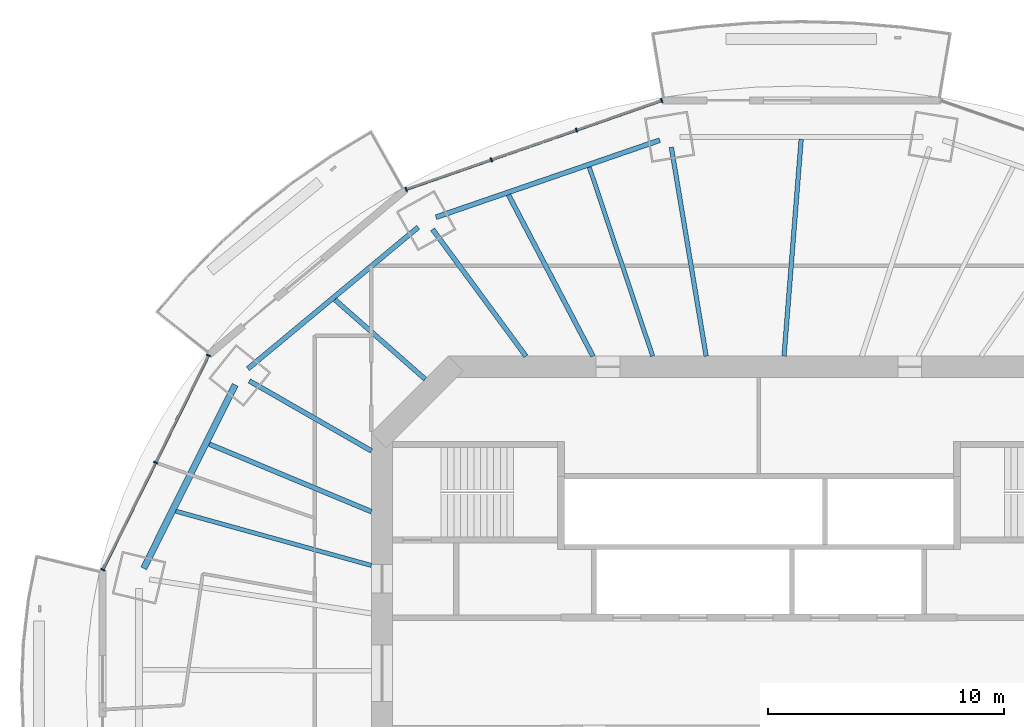
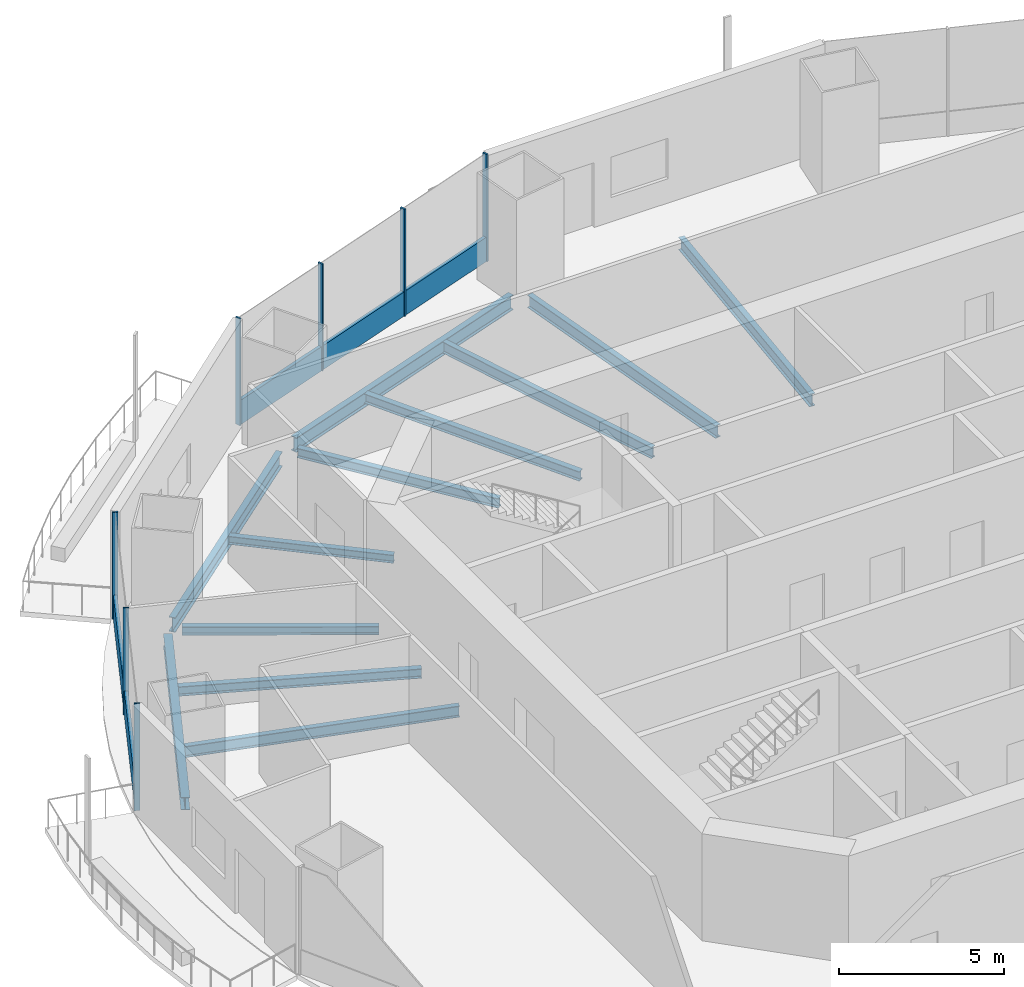
# One storey, part 6 of 19: 12 beams, 9 members, 2 elements without a shape of their own.
"""IFC4 building model written with IfcOpenShell, lengths in metres."""

from ifc_helpers import new_model, si_unit, direction, frame, origin, origin_2d, place, context, subcontext, project, spatial, rectangle, i_section, extrude, material, material_profile, profile_set, type_object, element, aggregate, save


model = new_model("IFC4")

# Units and contexts
model_context = context("Model", 3, precision=1e-05, world=origin(), true_north=direction((0.0, 1.0)))
body_context = subcontext(model_context, "Body", "Model", "MODEL_VIEW")
ifc_project = project(units=[si_unit("LENGTHUNIT", "METRE"), si_unit("AREAUNIT", "SQUARE_METRE"), si_unit("VOLUMEUNIT", "CUBIC_METRE"), si_unit("PLANEANGLEUNIT", "RADIAN"), si_unit("MASSUNIT", "GRAM", prefix="KILO")], contexts=[model_context])

# Site, building, storey
site_placement = place(None, origin())
site = spatial("IfcSite", under=ifc_project, at=site_placement, CompositionType="ELEMENT")
building_placement = place(site_placement, origin())
building = spatial("IfcBuilding", under=site, at=building_placement, Name="Marenthal Gate Tower", CompositionType="ELEMENT")
storey_placement = place(building_placement, frame((0.0, 0.0, 235.75)))
storey = spatial("IfcBuildingStorey", under=building, at=storey_placement, Name="L52", CompositionType="ELEMENT", Elevation=235.75)

# Curtain wall, members
ifc_material_1 = material(Name="Aluminium and glass", Category="aluminium")
curtain_wall_type = type_object("IfcCurtainWallType", Name="Curtain wall typical mid", PredefinedType="NOTDEFINED", material=ifc_material_1)
curtain_wall_1_placement = place(storey_placement, origin())
curtain_wall_1 = element("IfcCurtainWall", 1, at=curtain_wall_1_placement, inside=storey, type_object=curtain_wall_type, Name="Curtain wall L52 bay 5", PredefinedType="NOTDEFINED")
ifc_material_2 = material(Name="Aluminium", Category="aluminium")
ifc_material_profile_1 = material_profile(ifc_material_2, rectangle(XDim=0.179931640625, YDim=0.06005859375, at=origin_2d()), Name="60x180 aluminium mullion")
ifc_profile_set_1 = profile_set([ifc_material_profile_1], Name="Aluminium")
member_type_1 = type_object("IfcMemberType", Name="Mullion 60x180 typical mid", PredefinedType="MULLION", material=ifc_profile_set_1)
member_1_placement = place(storey_placement, frame((-4.12890625, 24.301025390625, 0.0), z_axis=(0.0, 0.0, 1.0), x_axis=(0.328540448732, -0.944489901241, 0.0)))
member_1 = element("IfcMember", 2, at=member_1_placement, type_object=member_type_1, Name="Mullion L52 bay 5.1", PredefinedType="MULLION", context=body_context, shape_type="SweptSolid", body=[
    extrude(rectangle(XDim=0.179931640625, YDim=0.06005859375, at=origin_2d()), origin(), (0.0, 0.0, 1.0), 3.969970703125),
])
member_2_placement = place(storey_placement, frame((-7.744140625, 23.04345703125, 0.0), z_axis=(0.0, 0.0, 1.0), x_axis=(0.328540448732, -0.944489901241, 0.0)))
member_2 = element("IfcMember", 3, at=member_2_placement, type_object=member_type_1, Name="Mullion L52 bay 5.2", PredefinedType="MULLION", context=body_context, shape_type="SweptSolid", body=[
    extrude(rectangle(XDim=0.179931640625, YDim=0.06005859375, at=origin_2d()), origin(), (0.0, 0.0, 1.0), 3.969970703125),
])
member_3_placement = place(storey_placement, frame((-11.359619140625, 21.785888671875, 0.0), z_axis=(0.0, 0.0, 1.0), x_axis=(0.328540448732, -0.944489901241, 0.0)))
member_3 = element("IfcMember", 4, at=member_3_placement, type_object=member_type_1, Name="Mullion L52 bay 5.3", PredefinedType="MULLION", context=body_context, shape_type="SweptSolid", body=[
    extrude(rectangle(XDim=0.179931640625, YDim=0.06005859375, at=origin_2d()), origin(), (0.0, 0.0, 1.0), 3.969970703125),
])
member_4_placement = place(storey_placement, frame((-14.974853515625, 20.5283203125, 0.0), z_axis=(0.0, 0.0, 1.0), x_axis=(0.328540448732, -0.944489901241, 0.0)))
member_4 = element("IfcMember", 5, at=member_4_placement, type_object=member_type_1, Name="Mullion L52 bay 5.4", PredefinedType="MULLION", context=body_context, shape_type="SweptSolid", body=[
    extrude(rectangle(XDim=0.179931640625, YDim=0.06005859375, at=origin_2d()), origin(), (0.0, 0.0, 1.0), 3.969970703125),
])

curtain_wall_2_placement = place(storey_placement, origin())
curtain_wall_2 = element("IfcCurtainWall", 6, at=curtain_wall_2_placement, inside=storey, type_object=curtain_wall_type, Name="Curtain wall L52 bay 7", PredefinedType="NOTDEFINED")
member_5_placement = place(storey_placement, frame((-23.361083984375, 13.48388671875, 0.0), z_axis=(0.0, 0.0, 1.0), x_axis=(0.896835471663, -0.442364258013, 0.0)))
member_5 = element("IfcMember", 7, at=member_5_placement, type_object=member_type_1, Name="Mullion L52 bay 7.1", PredefinedType="MULLION", context=body_context, shape_type="SweptSolid", body=[
    extrude(rectangle(XDim=0.179931640625, YDim=0.06005859375, at=origin_2d()), origin(), (0.0, 0.0, 1.0), 3.969970703125),
])
member_6_placement = place(storey_placement, frame((-25.60595703125, 8.93310546875, 0.0), z_axis=(0.0, 0.0, 1.0), x_axis=(0.896835471663, -0.442364258013, 0.0)))
member_6 = element("IfcMember", 8, at=member_6_placement, type_object=member_type_1, Name="Mullion L52 bay 7.2", PredefinedType="MULLION", context=body_context, shape_type="SweptSolid", body=[
    extrude(rectangle(XDim=0.179931640625, YDim=0.06005859375, at=origin_2d()), origin(), (0.0, 0.0, 1.0), 3.969970703125),
])
member_7_placement = place(storey_placement, frame((-27.8505859375, 4.382080078125, 0.0), z_axis=(0.0, 0.0, 1.0), x_axis=(0.896835471663, -0.442364258013, 0.0)))
member_7 = element("IfcMember", 9, at=member_7_placement, type_object=member_type_1, Name="Mullion L52 bay 7.3", PredefinedType="MULLION", context=body_context, shape_type="SweptSolid", body=[
    extrude(rectangle(XDim=0.179931640625, YDim=0.06005859375, at=origin_2d()), origin(), (0.0, 0.0, 1.0), 3.969970703125),
])

# Member
ifc_material_3 = material(Name="Aluminium", Category="aluminium")
ifc_material_profile_2 = material_profile(ifc_material_3, rectangle(XDim=0.1201171875, YDim=0.89990234375, at=origin_2d()), Name="120x900 aluminium transom")
ifc_profile_set_2 = profile_set([ifc_material_profile_2], Name="Aluminium")
member_type_2 = type_object("IfcMemberType", Name="Transom 120x900 typical mid", PredefinedType="USERDEFINED", material=ifc_profile_set_2)
member_8_placement = place(storey_placement, frame((-4.1572265625, 24.291259765625, 0.449951171875), z_axis=(-0.944486704993, -0.328549637179, 0.0), x_axis=(0.328549637179, -0.944486704993, 0.0)))
member_8 = element("IfcMember", 10, at=member_8_placement, type_object=member_type_2, Name="Transom L52 bay 5", ObjectType="TRANSOM", PredefinedType="USERDEFINED", context=body_context, shape_type="SweptSolid", body=[
    extrude(rectangle(XDim=0.1201171875, YDim=0.89990234375, at=origin_2d()), origin(), (0.0, 0.0, 1.0), 11.42333984375),
])

aggregate(curtain_wall_1, [member_1, member_2, member_3, member_4, member_8])

member_9_placement = place(storey_placement, frame((-23.374267578125, 13.45703125, 0.449951171875), z_axis=(-0.442377007868, -0.896829182682, 0.0), x_axis=(0.896829182682, -0.442377007868, 0.0)))
member_9 = element("IfcMember", 11, at=member_9_placement, type_object=member_type_2, Name="Transom L52 bay 7", ObjectType="TRANSOM", PredefinedType="USERDEFINED", context=body_context, shape_type="SweptSolid", body=[
    extrude(rectangle(XDim=0.1201171875, YDim=0.89990234375, at=origin_2d()), origin(), (0.0, 0.0, 1.0), 10.0888671875),
])

aggregate(curtain_wall_2, [member_5, member_6, member_7, member_9])

# Beams
ifc_material_4 = material(Name="Steel S355", Category="steel")
ifc_material_profile_3 = material_profile(ifc_material_4, i_section(OverallWidth=0.202880859375, OverallDepth=0.302001953125, WebThickness=0.007568359375, FlangeThickness=0.01318359375, FilletRadius=0.0126953125, at=origin_2d()), Name="W310X60")
ifc_profile_set_3 = profile_set([ifc_material_profile_3], Name="Steel S355")
beam_type_1 = type_object("IfcBeamType", Name="W310X60 beam", PredefinedType="BEAM", material=ifc_profile_set_3)
beam_1_placement = place(storey_placement, frame((-17.999267578125, 15.847900390625, -0.3310546875), z_axis=(0.750551397525, -0.660812075914, 0.0), x_axis=(0.660812075914, 0.750551397525, 0.0)))
element("IfcBeam", 12, at=beam_1_placement, inside=storey, type_object=beam_type_1, Name="BM-L52-25", PredefinedType="BEAM", context=body_context, shape_type="SweptSolid", body=[
    extrude(i_section(OverallWidth=0.202880859375, OverallDepth=0.302001953125, WebThickness=0.007568359375, FlangeThickness=0.01318359375, FilletRadius=0.0126953125, at=origin_2d()), origin(), (0.0, 0.0, 1.0), 5.109130859375),
])
ifc_material_5 = material(Name="Steel S355", Category="steel")
ifc_material_profile_4 = material_profile(ifc_material_5, i_section(OverallWidth=0.205078125, OverallDepth=0.31005859375, WebThickness=0.009521484375, FlangeThickness=0.016357421875, FilletRadius=0.0126953125, at=origin_2d()), Name="W310X74")
ifc_profile_set_4 = profile_set([ifc_material_profile_4], Name="Steel S355")
beam_type_2 = type_object("IfcBeamType", Name="W310X74 beam", PredefinedType="BEAM", material=ifc_profile_set_4)
beam_2_placement = place(storey_placement, frame((-21.633544921875, 12.4033203125, -0.3349609375), z_axis=(0.867530663758, -0.497383702427, 0.0), x_axis=(0.497383702427, 0.867530663758, 0.0)))
element("IfcBeam", 13, at=beam_2_placement, inside=storey, type_object=beam_type_2, Name="BM-L52-07", PredefinedType="BEAM", context=body_context, shape_type="SweptSolid", body=[
    extrude(i_section(OverallWidth=0.205078125, OverallDepth=0.31005859375, WebThickness=0.009521484375, FlangeThickness=0.016357421875, FilletRadius=0.0126953125, at=origin_2d()), origin(), (0.0, 0.0, 1.0), 5.97509765625),
])
ifc_material_6 = material(Name="Steel S355", Category="steel")
ifc_material_profile_5 = material_profile(ifc_material_6, i_section(OverallWidth=0.205078125, OverallDepth=0.35302734375, WebThickness=0.009521484375, FlangeThickness=0.016845703125, FilletRadius=0.014892578125, at=origin_2d()), Name="W360X79")
ifc_profile_set_5 = profile_set([ifc_material_profile_5], Name="Steel S355")
beam_type_3 = type_object("IfcBeamType", Name="W360X79 beam", PredefinedType="BEAM", material=ifc_profile_set_5)
beam_3_placement = place(storey_placement, frame((-13.854248046875, 18.836181640625, -0.3564453125), z_axis=(0.592507550431, -0.80556489663, 0.0), x_axis=(0.80556489663, 0.592507550431, 0.0)))
element("IfcBeam", 14, at=beam_3_placement, inside=storey, type_object=beam_type_3, Name="BM-L52-06", PredefinedType="BEAM", context=body_context, shape_type="SweptSolid", body=[
    extrude(i_section(OverallWidth=0.205078125, OverallDepth=0.35302734375, WebThickness=0.009521484375, FlangeThickness=0.016845703125, FilletRadius=0.014892578125, at=origin_2d()), origin(), (0.0, 0.0, 1.0), 6.686279296875),
])
beam_4_placement = place(storey_placement, frame((-10.63134765625, 20.29541015625, -0.3564453125), z_axis=(0.464029424014, -0.885819786215, 0.0), x_axis=(0.885819786215, 0.464029424014, 0.0)))
element("IfcBeam", 15, at=beam_4_placement, inside=storey, type_object=beam_type_3, Name="BM-L52-24", PredefinedType="BEAM", context=body_context, shape_type="SweptSolid", body=[
    extrude(i_section(OverallWidth=0.205078125, OverallDepth=0.35302734375, WebThickness=0.009521484375, FlangeThickness=0.016845703125, FilletRadius=0.014892578125, at=origin_2d()), origin(), (0.0, 0.0, 1.0), 7.727783203125),
])
beam_5_placement = place(storey_placement, frame((-23.331787109375, 9.71728515625, -0.3564453125), z_axis=(0.923146670425, -0.384447948209, 0.0), x_axis=(0.384447948209, 0.923146670425, 0.0)))
element("IfcBeam", 16, at=beam_5_placement, inside=storey, type_object=beam_type_3, Name="BM-L52-26", PredefinedType="BEAM", context=body_context, shape_type="SweptSolid", body=[
    extrude(i_section(OverallWidth=0.205078125, OverallDepth=0.35302734375, WebThickness=0.009521484375, FlangeThickness=0.016845703125, FilletRadius=0.014892578125, at=origin_2d()), origin(), (0.0, 0.0, 1.0), 7.454833984375),
])
ifc_material_7 = material(Name="Steel S355", Category="steel")
ifc_material_profile_6 = material_profile(ifc_material_7, i_section(OverallWidth=0.180908203125, OverallDepth=0.4169921875, WebThickness=0.010986328125, FlangeThickness=0.018310546875, FilletRadius=0.01025390625, at=origin_2d()), Name="W410X85")
ifc_profile_set_6 = profile_set([ifc_material_profile_6], Name="Steel S355")
beam_type_4 = type_object("IfcBeamType", Name="W410X85 beam", PredefinedType="BEAM", material=ifc_profile_set_6)
beam_6_placement = place(storey_placement, frame((-7.202880859375, 21.475341796875, -0.388427734375), z_axis=(0.317983705418, -0.948096178185, 0.0), x_axis=(0.948096178185, 0.317983705418, 0.0)))
element("IfcBeam", 17, at=beam_6_placement, inside=storey, type_object=beam_type_4, Name="BM-L52-23", PredefinedType="BEAM", context=body_context, shape_type="SweptSolid", body=[
    extrude(i_section(OverallWidth=0.180908203125, OverallDepth=0.4169921875, WebThickness=0.010986328125, FlangeThickness=0.018310546875, FilletRadius=0.01025390625, at=origin_2d()), origin(), (0.0, 0.0, 1.0), 8.46484375),
])
beam_7_placement = place(storey_placement, frame((-24.75048828125, 6.87109375, -0.388427734375), z_axis=(0.96355566058, -0.267507923181, 0.0), x_axis=(0.267507923181, 0.96355566058, 0.0)))
element("IfcBeam", 18, at=beam_7_placement, inside=storey, type_object=beam_type_4, Name="BM-L52-27", PredefinedType="BEAM", context=body_context, shape_type="SweptSolid", body=[
    extrude(i_section(OverallWidth=0.180908203125, OverallDepth=0.4169921875, WebThickness=0.010986328125, FlangeThickness=0.018310546875, FilletRadius=0.01025390625, at=origin_2d()), origin(), (0.0, 0.0, 1.0), 8.614501953125),
])
ifc_material_8 = material(Name="Steel S355", Category="steel")
ifc_material_profile_7 = material_profile(ifc_material_8, i_section(OverallWidth=0.279052734375, OverallDepth=0.4619140625, WebThickness=0.0107421875, FlangeThickness=0.017333984375, FilletRadius=0.010009765625, at=origin_2d()), Name="W460X113")
ifc_profile_set_7 = profile_set([ifc_material_profile_7], Name="Steel S355")
beam_type_5 = type_object("IfcBeamType", Name="W460X113 beam", PredefinedType="BEAM", material=ifc_profile_set_7)
beam_8_placement = place(storey_placement, frame((-22.2333984375, 12.2333984375, -0.410888671875), z_axis=(-0.446135404935, -0.894965474453, 0.0), x_axis=(0.894965474453, -0.446135404935, 0.0)))
element("IfcBeam", 19, at=beam_8_placement, inside=storey, type_object=beam_type_5, Name="BM-L52-47", PredefinedType="BEAM", context=body_context, shape_type="SweptSolid", body=[
    extrude(i_section(OverallWidth=0.279052734375, OverallDepth=0.4619140625, WebThickness=0.0107421875, FlangeThickness=0.017333984375, FilletRadius=0.010009765625, at=origin_2d()), origin(), (0.0, 0.0, 1.0), 8.69775390625),
])
ifc_material_9 = material(Name="Steel S355", Category="steel")
ifc_material_profile_8 = material_profile(ifc_material_9, i_section(OverallWidth=0.193115234375, OverallDepth=0.467041015625, WebThickness=0.011474609375, FlangeThickness=0.01904296875, FilletRadius=0.010009765625, at=origin_2d()), Name="W460X97")
ifc_profile_set_8 = profile_set([ifc_material_profile_8], Name="Steel S355")
beam_type_6 = type_object("IfcBeamType", Name="W460X97 beam", PredefinedType="BEAM", material=ifc_profile_set_8)
beam_9_placement = place(storey_placement, frame((-3.718505859375, 22.3173828125, -0.41357421875), z_axis=(0.164359351381, -0.986400529001, 0.0), x_axis=(0.986400529001, 0.164359351381, 0.0)))
element("IfcBeam", 20, at=beam_9_placement, inside=storey, type_object=beam_type_6, Name="BM-L52-05", PredefinedType="BEAM", context=body_context, shape_type="SweptSolid", body=[
    extrude(i_section(OverallWidth=0.193115234375, OverallDepth=0.467041015625, WebThickness=0.011474609375, FlangeThickness=0.01904296875, FilletRadius=0.010009765625, at=origin_2d()), origin(), (0.0, 0.0, 1.0), 8.98974609375),
])
beam_10_placement = place(storey_placement, frame((1.79150390625, 22.6552734375, -0.41357421875), z_axis=(-0.078815192608, -0.996889244307, 0.0), x_axis=(0.996889244307, -0.078815192608, 0.0)))
element("IfcBeam", 21, at=beam_10_placement, inside=storey, type_object=beam_type_6, Name="BM-L52-22", PredefinedType="BEAM", context=body_context, shape_type="SweptSolid", body=[
    extrude(i_section(OverallWidth=0.193115234375, OverallDepth=0.467041015625, WebThickness=0.011474609375, FlangeThickness=0.01904296875, FilletRadius=0.010009765625, at=origin_2d()), origin(), (0.0, 0.0, 1.0), 9.234130859375),
])
ifc_material_10 = material(Name="Steel S355", Category="steel")
ifc_material_profile_9 = material_profile(ifc_material_10, i_section(OverallWidth=0.2119140625, OverallDepth=0.5439453125, WebThickness=0.01318359375, FlangeThickness=0.021240234375, FilletRadius=0.0126953125, at=origin_2d()), Name="W530X123")
ifc_profile_set_9 = profile_set([ifc_material_profile_9], Name="Steel S355")
beam_type_7 = type_object("IfcBeamType", Name="W530X123 beam", PredefinedType="BEAM", material=ifc_profile_set_9)
beam_11_placement = place(storey_placement, frame((-4.20654296875, 22.61865234375, -0.451904296875), z_axis=(-0.945565649908, -0.325431408617, 0.0), x_axis=(0.325431408617, -0.945565649908, 0.0)))
element("IfcBeam", 22, at=beam_11_placement, inside=storey, type_object=beam_type_7, Name="BM-L52-45", PredefinedType="BEAM", context=body_context, shape_type="SweptSolid", body=[
    extrude(i_section(OverallWidth=0.2119140625, OverallDepth=0.5439453125, WebThickness=0.01318359375, FlangeThickness=0.021240234375, FilletRadius=0.0126953125, at=origin_2d()), origin(), (0.0, 0.0, 1.0), 10.050537109375),
])
beam_12_placement = place(storey_placement, frame((-14.46484375, 18.922607421875, -0.451904296875), z_axis=(-0.769136149311, -0.63908495822, 0.0), x_axis=(0.63908495822, -0.769136149311, 0.0)))
element("IfcBeam", 23, at=beam_12_placement, inside=storey, type_object=beam_type_7, Name="BM-L52-46", PredefinedType="BEAM", context=body_context, shape_type="SweptSolid", body=[
    extrude(i_section(OverallWidth=0.2119140625, OverallDepth=0.5439453125, WebThickness=0.01318359375, FlangeThickness=0.021240234375, FilletRadius=0.0126953125, at=origin_2d()), origin(), (0.0, 0.0, 1.0), 9.397705078125),
])

save(model, "model.ifc")
